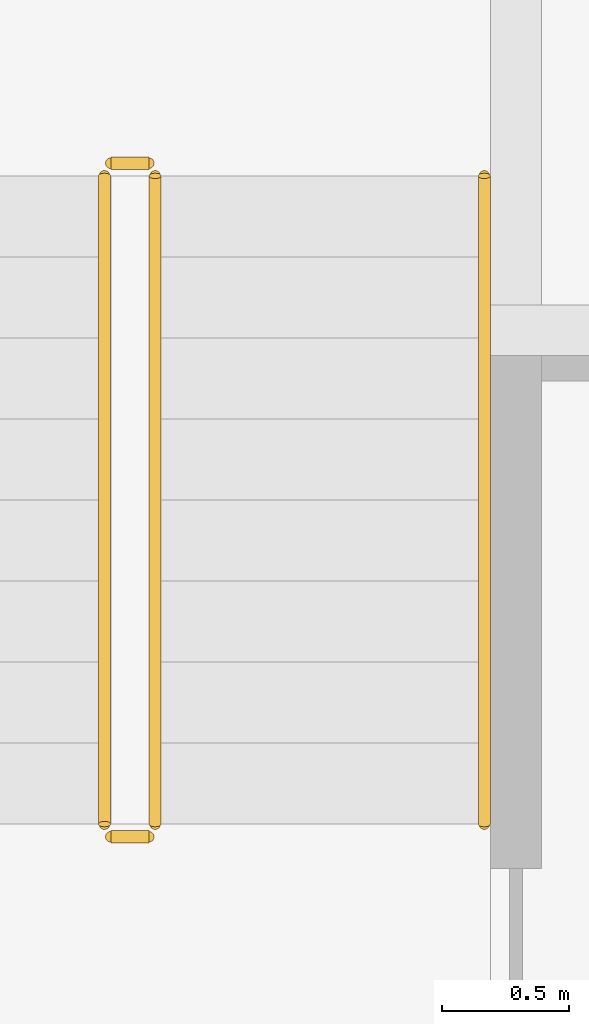
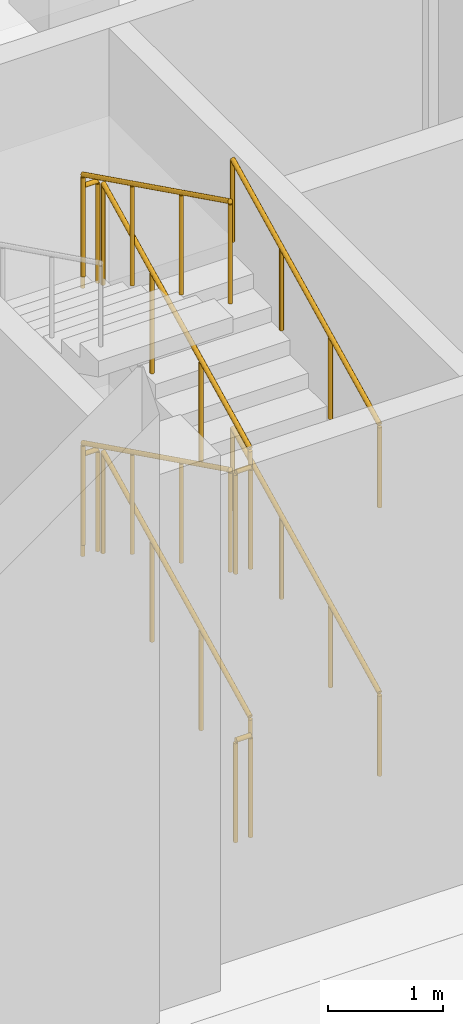
# One storey, part 27 of 38: 10 railings.
"""IFC4 building model written with IfcOpenShell, lengths in metres."""

from ifc_helpers import new_model, si_unit, direction, frame, origin, origin_2d, place, context, subcontext, project, spatial, circle, extrude, material, type_object, element, save


model = new_model("IFC4")

# Units and contexts
model_context = context("Model", 3, precision=1e-05, world=origin(), true_north=direction((0.0, 1.0)))
body_context = subcontext(model_context, "Body", "Model", "MODEL_VIEW")
ifc_project = project(units=[si_unit("LENGTHUNIT", "METRE"), si_unit("AREAUNIT", "SQUARE_METRE"), si_unit("VOLUMEUNIT", "CUBIC_METRE"), si_unit("PLANEANGLEUNIT", "RADIAN"), si_unit("MASSUNIT", "GRAM", prefix="KILO")], contexts=[model_context])

# Site, building, storey
site_placement = place(None, origin())
site = spatial("IfcSite", under=ifc_project, at=site_placement, CompositionType="ELEMENT")
building_placement = place(site_placement, origin())
building = spatial("IfcBuilding", under=site, at=building_placement, Name="Lantern Court Research Institute", CompositionType="ELEMENT")
storey_placement = place(building_placement, frame((0.0, 0.0, -5.699951171875)))
storey = spatial("IfcBuildingStorey", under=building, at=storey_placement, Name="B1", CompositionType="ELEMENT", Elevation=-5.699951171875)

# Railings
ifc_material_1 = material(Name="Structural steel S355", Category="steel")
railing_type_1 = type_object("IfcRailingType", Name="Stair guard 1100 steel", PredefinedType="GUARDRAIL", material=ifc_material_1)
railing_1_placement = place(storey_placement, frame((1.77490234375, 51.10009765625, 0.158203125)))
element("IfcRailing", 1, at=railing_1_placement, inside=storey, type_object=railing_type_1, Name="B1 ST-C1 stair guard 1", PredefinedType="GUARDRAIL", context=body_context, shape_type="SweptSolid", body=[
    extrude(circle(Radius=0.02392578125, at=origin_2d()), frame((0.0, 0.0, 1.076171875), z_axis=(0.0, 0.896248962668, 0.443551346427), x_axis=(-1.0, 0.0, 0.0)), (0.0, 0.0, 1.0), 2.856201171875),
    extrude(circle(Radius=0.02099609375, at=origin_2d()), origin(), (0.0, 0.0, 1.0), 1.052001953125),
    extrude(circle(Radius=0.02099609375, at=origin_2d()), frame((0.0, 0.853271484375, 0.42236328125)), (0.0, 0.0, 1.0), 1.052001953125),
    extrude(circle(Radius=0.02099609375, at=origin_2d()), frame((0.0, 1.70654296875, 0.844482421875)), (0.0, 0.0, 1.0), 1.052001953125),
    extrude(circle(Radius=0.02099609375, at=origin_2d()), frame((0.0, 2.559814453125, 1.266845703125)), (0.0, 0.0, 1.0), 1.052001953125),
])
railing_2_placement = place(storey_placement, frame((1.75, 53.7099609375, 1.425048828125)))
element("IfcRailing", 2, at=railing_2_placement, inside=storey, type_object=railing_type_1, Name="B1 ST-C1 stair guard 2", PredefinedType="GUARDRAIL", context=body_context, shape_type="SweptSolid", body=[
    extrude(circle(Radius=0.02392578125, at=origin_2d()), frame((0.0, 0.0, 1.076171875), z_axis=(-1.0, 0.0, 0.0), x_axis=(0.0, -1.0, 0.0)), (0.0, 0.0, 1.0), 0.14990234375),
    extrude(circle(Radius=0.02099609375, at=origin_2d()), origin(), (0.0, 0.0, 1.0), 1.052001953125),
    extrude(circle(Radius=0.02099609375, at=origin_2d()), frame((-0.14990234375, 0.0, 0.0)), (0.0, 0.0, 1.0), 1.052001953125),
])
railing_3_placement = place(storey_placement, frame((1.574951171875, 53.659912109375, 1.583251953125)))
element("IfcRailing", 3, at=railing_3_placement, inside=storey, type_object=railing_type_1, Name="B1 ST-C1 stair guard 3", PredefinedType="GUARDRAIL", context=body_context, shape_type="SweptSolid", body=[
    extrude(circle(Radius=0.02392578125, at=origin_2d()), frame((0.0, 0.0, 1.076171875), z_axis=(0.0, -0.896282942063, 0.443482680346), x_axis=(1.0, 0.0, 0.0)), (0.0, 0.0, 1.0), 2.85595703125),
    extrude(circle(Radius=0.02099609375, at=origin_2d()), origin(), (0.0, 0.0, 1.0), 1.052001953125),
    extrude(circle(Radius=0.02099609375, at=origin_2d()), frame((0.0, -0.853271484375, 0.422119140625)), (0.0, 0.0, 1.0), 1.052001953125),
    extrude(circle(Radius=0.02099609375, at=origin_2d()), frame((0.0, -1.70654296875, 0.844482421875)), (0.0, 0.0, 1.0), 1.052001953125),
    extrude(circle(Radius=0.02099609375, at=origin_2d()), frame((0.0, -2.559814453125, 1.2666015625)), (0.0, 0.0, 1.0), 1.052001953125),
])
railing_4_placement = place(storey_placement, frame((1.75, 51.050048828125, 2.849853515625)))
element("IfcRailing", 4, at=railing_4_placement, inside=storey, type_object=railing_type_1, Name="B1 ST-C1 stair guard 4", PredefinedType="GUARDRAIL", context=body_context, shape_type="SweptSolid", body=[
    extrude(circle(Radius=0.02392578125, at=origin_2d()), frame((0.0, 0.0, 1.076171875), z_axis=(-1.0, 0.0, 0.0), x_axis=(0.0, -1.0, 0.0)), (0.0, 0.0, 1.0), 0.14990234375),
    extrude(circle(Radius=0.02099609375, at=origin_2d()), origin(), (0.0, 0.0, 1.0), 1.052001953125),
    extrude(circle(Radius=0.02099609375, at=origin_2d()), frame((-0.14990234375, 0.0, 0.0)), (0.0, 0.0, 1.0), 1.052001953125),
])
railing_5_placement = place(storey_placement, frame((1.77490234375, 51.10009765625, 3.00830078125)))
element("IfcRailing", 5, at=railing_5_placement, inside=storey, type_object=railing_type_1, Name="B1 ST-C1 stair guard 5", PredefinedType="GUARDRAIL", context=body_context, shape_type="SweptSolid", body=[
    extrude(circle(Radius=0.02392578125, at=origin_2d()), frame((0.0, 0.0, 1.076171875), z_axis=(0.0, 0.896282942063, 0.443482680346), x_axis=(-1.0, 0.0, 0.0)), (0.0, 0.0, 1.0), 2.85595703125),
    extrude(circle(Radius=0.02099609375, at=origin_2d()), origin(), (0.0, 0.0, 1.0), 1.052001953125),
    extrude(circle(Radius=0.02099609375, at=origin_2d()), frame((0.0, 0.853271484375, 0.422119140625)), (0.0, 0.0, 1.0), 1.052001953125),
    extrude(circle(Radius=0.02099609375, at=origin_2d()), frame((0.0, 1.70654296875, 0.844482421875)), (0.0, 0.0, 1.0), 1.052001953125),
    extrude(circle(Radius=0.02099609375, at=origin_2d()), frame((0.0, 2.559814453125, 1.2666015625)), (0.0, 0.0, 1.0), 1.052001953125),
])
railing_6_placement = place(storey_placement, frame((1.75, 53.7099609375, 4.27490234375)))
element("IfcRailing", 6, at=railing_6_placement, inside=storey, type_object=railing_type_1, Name="B1 ST-C1 stair guard 6", PredefinedType="GUARDRAIL", context=body_context, shape_type="SweptSolid", body=[
    extrude(circle(Radius=0.02392578125, at=origin_2d()), frame((0.0, 0.0, 1.076171875), z_axis=(-1.0, 0.0, 0.0), x_axis=(0.0, -1.0, 0.0)), (0.0, 0.0, 1.0), 0.14990234375),
    extrude(circle(Radius=0.02099609375, at=origin_2d()), origin(), (0.0, 0.0, 1.0), 1.052001953125),
    extrude(circle(Radius=0.02099609375, at=origin_2d()), frame((-0.14990234375, 0.0, 0.0)), (0.0, 0.0, 1.0), 1.052001953125),
])
railing_7_placement = place(storey_placement, frame((1.574951171875, 53.659912109375, 4.433349609375)))
element("IfcRailing", 7, at=railing_7_placement, inside=storey, type_object=railing_type_1, Name="B1 ST-C1 stair guard 7", PredefinedType="GUARDRAIL", context=body_context, shape_type="SweptSolid", body=[
    extrude(circle(Radius=0.02392578125, at=origin_2d()), frame((0.0, 0.0, 1.076171875), z_axis=(0.0, -0.896282942063, 0.443482680346), x_axis=(1.0, 0.0, 0.0)), (0.0, 0.0, 1.0), 2.85595703125),
    extrude(circle(Radius=0.02099609375, at=origin_2d()), origin(), (0.0, 0.0, 1.0), 1.052001953125),
    extrude(circle(Radius=0.02099609375, at=origin_2d()), frame((0.0, -0.853271484375, 0.422119140625)), (0.0, 0.0, 1.0), 1.052001953125),
    extrude(circle(Radius=0.02099609375, at=origin_2d()), frame((0.0, -1.70654296875, 0.844482421875)), (0.0, 0.0, 1.0), 1.052001953125),
    extrude(circle(Radius=0.02099609375, at=origin_2d()), frame((0.0, -2.559814453125, 1.2666015625)), (0.0, 0.0, 1.0), 1.052001953125),
])
railing_8_placement = place(storey_placement, frame((1.75, 51.050048828125, 0.0)))
element("IfcRailing", 8, at=railing_8_placement, inside=storey, type_object=railing_type_1, Name="B1 ST-C1 stair guard 8", PredefinedType="GUARDRAIL", context=body_context, shape_type="SweptSolid", body=[
    extrude(circle(Radius=0.02392578125, at=origin_2d()), frame((0.0, 0.0, 1.076171875), z_axis=(-1.0, 0.0, 0.0), x_axis=(0.0, -1.0, 0.0)), (0.0, 0.0, 1.0), 0.14990234375),
    extrude(circle(Radius=0.02099609375, at=origin_2d()), origin(), (0.0, 0.0, 1.0), 1.052001953125),
    extrude(circle(Radius=0.02099609375, at=origin_2d()), frame((-0.14990234375, 0.0, 0.0)), (0.0, 0.0, 1.0), 1.052001953125),
])
ifc_material_2 = material(Name="Stainless steel 316", Category="steel")
railing_type_2 = type_object("IfcRailingType", Name="Stair handrail 900 steel", PredefinedType="HANDRAIL", material=ifc_material_2)
railing_9_placement = place(storey_placement, frame((3.074951171875, 51.10009765625, 0.158203125)))
element("IfcRailing", 9, at=railing_9_placement, inside=storey, type_object=railing_type_2, Name="B1 ST-C1 stair handrail 1", PredefinedType="HANDRAIL", context=body_context, shape_type="SweptSolid", body=[
    extrude(circle(Radius=0.02392578125, at=origin_2d()), frame((0.0, 0.0, 0.8759765625), z_axis=(0.0, 0.896248962668, 0.443551346427), x_axis=(-1.0, 0.0, 0.0)), (0.0, 0.0, 1.0), 2.856201171875),
    extrude(circle(Radius=0.02099609375, at=origin_2d()), origin(), (0.0, 0.0, 1.0), 0.851806640625),
    extrude(circle(Radius=0.02099609375, at=origin_2d()), frame((0.0, 0.853271484375, 0.42236328125)), (0.0, 0.0, 1.0), 0.851806640625),
    extrude(circle(Radius=0.02099609375, at=origin_2d()), frame((0.0, 1.70654296875, 0.844482421875)), (0.0, 0.0, 1.0), 0.851806640625),
    extrude(circle(Radius=0.02099609375, at=origin_2d()), frame((0.0, 2.559814453125, 1.266845703125)), (0.0, 0.0, 1.0), 0.851806640625),
])
railing_10_placement = place(storey_placement, frame((3.074951171875, 51.10009765625, 3.00830078125)))
element("IfcRailing", 10, at=railing_10_placement, inside=storey, type_object=railing_type_2, Name="B1 ST-C1 stair handrail 3", PredefinedType="HANDRAIL", context=body_context, shape_type="SweptSolid", body=[
    extrude(circle(Radius=0.02392578125, at=origin_2d()), frame((0.0, 0.0, 0.8759765625), z_axis=(0.0, 0.896282942063, 0.443482680346), x_axis=(-1.0, 0.0, 0.0)), (0.0, 0.0, 1.0), 2.85595703125),
    extrude(circle(Radius=0.02099609375, at=origin_2d()), origin(), (0.0, 0.0, 1.0), 0.851806640625),
    extrude(circle(Radius=0.02099609375, at=origin_2d()), frame((0.0, 0.853271484375, 0.422119140625)), (0.0, 0.0, 1.0), 0.851806640625),
    extrude(circle(Radius=0.02099609375, at=origin_2d()), frame((0.0, 1.70654296875, 0.844482421875)), (0.0, 0.0, 1.0), 0.851806640625),
    extrude(circle(Radius=0.02099609375, at=origin_2d()), frame((0.0, 2.559814453125, 1.2666015625)), (0.0, 0.0, 1.0), 0.851806640625),
])

save(model, "model.ifc")
